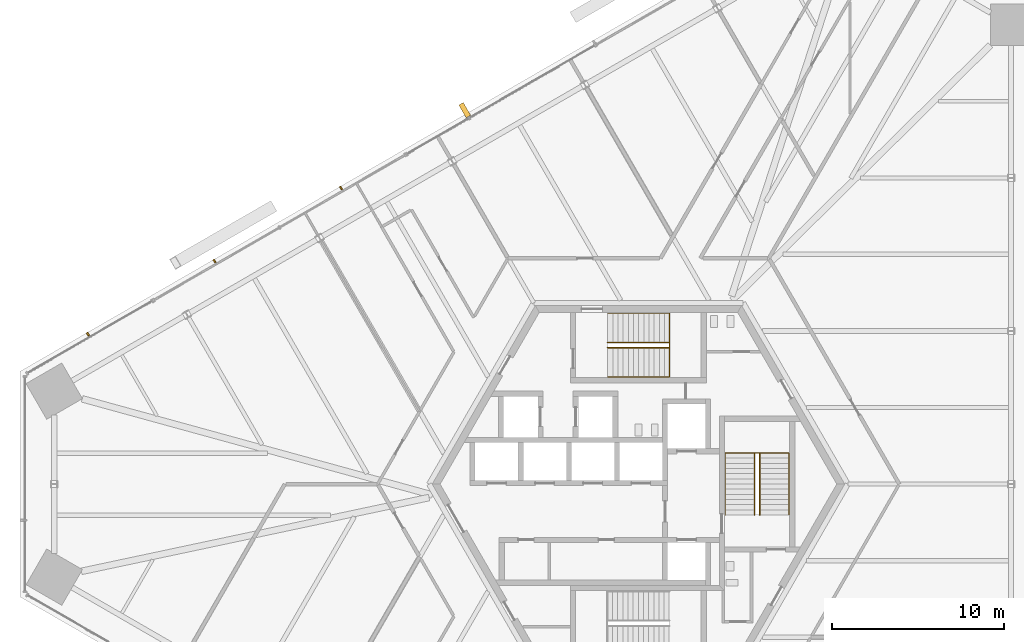
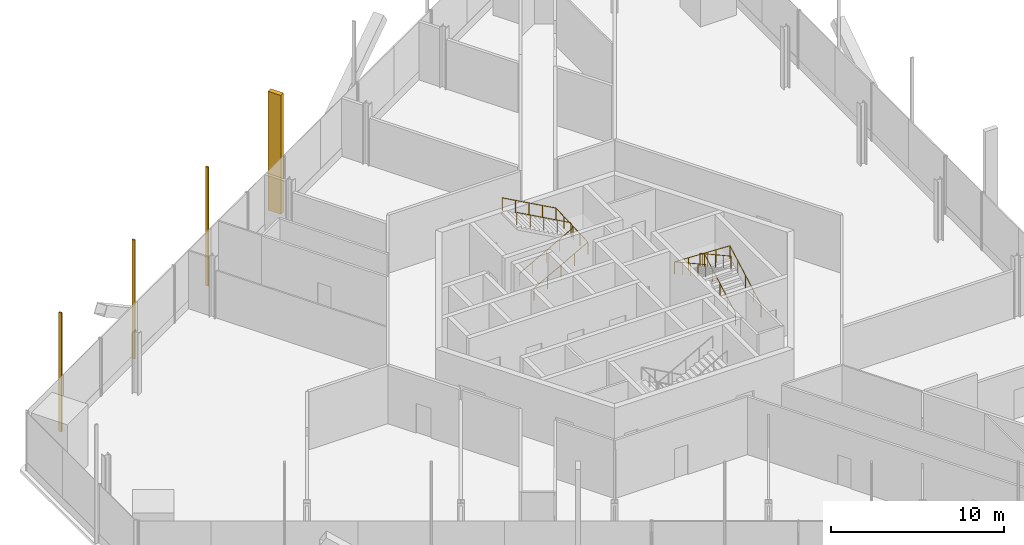
# One storey, part 17 of 19: 4 railings, 4 shading devices.
"""IFC4 building model written with IfcOpenShell, lengths in metres."""

from ifc_helpers import new_model, si_unit, direction, frame, origin, origin_2d, place, context, subcontext, project, spatial, rectangle, circle, extrude, source, transform, mapped, material, type_object, element, save


model = new_model("IFC4")

# Units and contexts
model_context = context("Model", 3, precision=1e-05, world=origin(), true_north=direction((0.0, 1.0)))
body_context = subcontext(model_context, "Body", "Model", "MODEL_VIEW")
ifc_project = project(units=[si_unit("LENGTHUNIT", "METRE"), si_unit("AREAUNIT", "SQUARE_METRE"), si_unit("VOLUMEUNIT", "CUBIC_METRE"), si_unit("PLANEANGLEUNIT", "RADIAN"), si_unit("MASSUNIT", "GRAM", prefix="KILO")], contexts=[model_context])

# Site, building, storey
site_placement = place(None, origin())
site = spatial("IfcSite", under=ifc_project, at=site_placement, CompositionType="ELEMENT")
building_placement = place(site_placement, origin())
building = spatial("IfcBuilding", under=site, at=building_placement, Name="Triune Harvest Tower", CompositionType="ELEMENT")
storey_placement = place(building_placement, frame((0.0, 0.0, 41.800048828125)))
storey = spatial("IfcBuildingStorey", under=building, at=storey_placement, Name="L09", CompositionType="ELEMENT", Elevation=41.800048828125)

# Railings
ifc_material_1 = material(Name="Stainless steel AISI 316", Category="steel")
railing_type = type_object("IfcRailingType", Name="Stair handrail", PredefinedType="HANDRAIL", material=ifc_material_1)
shared_shape_1 = source(origin(), body_context, "Body", "SweptSolid", [
    extrude(circle(Radius=0.02392578125, at=origin_2d()), frame((0.0, 0.0, 0.8759765625), z_axis=(0.875746539262, 0.0, 0.482771166259), x_axis=(0.0, 1.0, 0.0)), (0.0, 0.0, 1.0), 4.11083984375),
    extrude(circle(Radius=0.02392578125, at=origin_2d()), frame((3.60009765625, 0.0, 2.8603515625), z_axis=(0.0, 0.999000768331, 0.04469300699), x_axis=(-1.0, 0.0, 0.0)), (0.0, 0.0, 1.0), 3.70361328125),
    extrude(circle(Radius=0.02392578125, at=origin_2d()), frame((3.60009765625, 3.699951171875, 3.02587890625), z_axis=(-0.875746539262, 0.0, 0.482771166259), x_axis=(0.0, -1.0, 0.0)), (0.0, 0.0, 1.0), 4.11083984375),
    extrude(circle(Radius=0.02099609375, at=origin_2d()), origin(), (0.0, 0.0, 1.0), 0.851806640625),
    extrude(circle(Radius=0.02099609375, at=origin_2d()), frame((0.89990234375, 0.0, 0.49609375)), (0.0, 0.0, 1.0), 0.851806640625),
    extrude(circle(Radius=0.02099609375, at=origin_2d()), frame((1.800048828125, 0.0, 0.9921875)), (0.0, 0.0, 1.0), 0.851806640625),
    extrude(circle(Radius=0.02099609375, at=origin_2d()), frame((2.7001953125, 0.0, 1.488525390625)), (0.0, 0.0, 1.0), 0.851806640625),
    extrude(circle(Radius=0.02099609375, at=origin_2d()), frame((3.60009765625, 0.0, 1.984619140625)), (0.0, 0.0, 1.0), 0.851806640625),
    extrude(circle(Radius=0.02099609375, at=origin_2d()), frame((3.60009765625, 0.925048828125, 2.02587890625)), (0.0, 0.0, 1.0), 0.851806640625),
    extrude(circle(Radius=0.02099609375, at=origin_2d()), frame((3.60009765625, 1.85009765625, 2.0673828125)), (0.0, 0.0, 1.0), 0.851806640625),
    extrude(circle(Radius=0.02099609375, at=origin_2d()), frame((3.60009765625, 2.77490234375, 2.10888671875)), (0.0, 0.0, 1.0), 0.851806640625),
    extrude(circle(Radius=0.02099609375, at=origin_2d()), frame((3.60009765625, 3.699951171875, 2.150146484375)), (0.0, 0.0, 1.0), 0.851806640625),
    extrude(circle(Radius=0.02099609375, at=origin_2d()), frame((2.7001953125, 3.699951171875, 2.646240234375)), (0.0, 0.0, 1.0), 0.851806640625),
    extrude(circle(Radius=0.02099609375, at=origin_2d()), frame((1.800048828125, 3.699951171875, 3.142578125)), (0.0, 0.0, 1.0), 0.851806640625),
    extrude(circle(Radius=0.02099609375, at=origin_2d()), frame((0.89990234375, 3.699951171875, 3.638671875)), (0.0, 0.0, 1.0), 0.851806640625),
    extrude(circle(Radius=0.02099609375, at=origin_2d()), frame((0.0, 3.699951171875, 4.134765625)), (0.0, 0.0, 1.0), 0.851806640625),
])
railing_1_placement = place(storey_placement, frame((-1.7900390625, 6.239990234375, 0.165283203125)))
element("IfcRailing", 1, at=railing_1_placement, inside=storey, type_object=railing_type, Name="Exit stair north wall handrail", PredefinedType="HANDRAIL", context=body_context, shape_type="MappedRepresentation", body=[
    mapped(shared_shape_1, transform((0.0, 0.0, 0.0), scale=1.0)),
])
shared_shape_2 = source(origin(), body_context, "Body", "SweptSolid", [
    extrude(circle(Radius=0.02392578125, at=origin_2d()), frame((0.0, 0.0, 0.8759765625), z_axis=(0.875746539262, 0.0, 0.482771166259), x_axis=(0.0, 1.0, 0.0)), (0.0, 0.0, 1.0), 4.11083984375),
    extrude(circle(Radius=0.02392578125, at=origin_2d()), frame((3.60009765625, 0.0, 2.8603515625), z_axis=(0.0, 0.875598465653, 0.483039674298), x_axis=(-1.0, 0.0, 0.0)), (0.0, 0.0, 1.0), 0.3427734375),
    extrude(circle(Radius=0.02392578125, at=origin_2d()), frame((3.60009765625, 0.300048828125, 3.02587890625), z_axis=(-0.875746539262, 0.0, 0.482771166259), x_axis=(0.0, -1.0, 0.0)), (0.0, 0.0, 1.0), 4.11083984375),
    extrude(circle(Radius=0.02099609375, at=origin_2d()), origin(), (0.0, 0.0, 1.0), 0.851806640625),
    extrude(circle(Radius=0.02099609375, at=origin_2d()), frame((0.89990234375, 0.0, 0.49609375)), (0.0, 0.0, 1.0), 0.851806640625),
    extrude(circle(Radius=0.02099609375, at=origin_2d()), frame((1.800048828125, 0.0, 0.9921875)), (0.0, 0.0, 1.0), 0.851806640625),
    extrude(circle(Radius=0.02099609375, at=origin_2d()), frame((2.7001953125, 0.0, 1.488525390625)), (0.0, 0.0, 1.0), 0.851806640625),
    extrude(circle(Radius=0.02099609375, at=origin_2d()), frame((3.60009765625, 0.0, 1.984619140625)), (0.0, 0.0, 1.0), 0.851806640625),
    extrude(circle(Radius=0.02099609375, at=origin_2d()), frame((3.60009765625, 0.300048828125, 2.150146484375)), (0.0, 0.0, 1.0), 0.851806640625),
    extrude(circle(Radius=0.02099609375, at=origin_2d()), frame((2.7001953125, 0.300048828125, 2.646240234375)), (0.0, 0.0, 1.0), 0.851806640625),
    extrude(circle(Radius=0.02099609375, at=origin_2d()), frame((1.800048828125, 0.300048828125, 3.142578125)), (0.0, 0.0, 1.0), 0.851806640625),
    extrude(circle(Radius=0.02099609375, at=origin_2d()), frame((0.89990234375, 0.300048828125, 3.638671875)), (0.0, 0.0, 1.0), 0.851806640625),
    extrude(circle(Radius=0.02099609375, at=origin_2d()), frame((0.0, 0.300048828125, 4.134765625)), (0.0, 0.0, 1.0), 0.851806640625),
])
railing_2_placement = place(storey_placement, frame((-1.7900390625, 7.93994140625, 0.165283203125)))
element("IfcRailing", 2, at=railing_2_placement, inside=storey, type_object=railing_type, Name="Exit stair north centre handrail", PredefinedType="HANDRAIL", context=body_context, shape_type="MappedRepresentation", body=[
    mapped(shared_shape_2, transform((0.0, 0.0, 0.0), scale=1.0)),
])
shared_shape_3 = source(origin(), body_context, "Body", "SweptSolid", [
    extrude(circle(Radius=0.02392578125, at=origin_2d()), frame((0.0, 0.0, 0.8759765625), z_axis=(0.0, 0.875746539262, 0.482771166259), x_axis=(-1.0, 0.0, 0.0)), (0.0, 0.0, 1.0), 4.11083984375),
    extrude(circle(Radius=0.02392578125, at=origin_2d()), frame((0.0, 3.60009765625, 2.8603515625), z_axis=(-0.999000768331, 0.0, 0.04469300699), x_axis=(0.0, -1.0, 0.0)), (0.0, 0.0, 1.0), 3.70361328125),
    extrude(circle(Radius=0.02392578125, at=origin_2d()), frame((-3.699951171875, 3.60009765625, 3.02587890625), z_axis=(0.0, -0.875746539262, 0.482771166259), x_axis=(1.0, 0.0, 0.0)), (0.0, 0.0, 1.0), 4.11083984375),
    extrude(circle(Radius=0.02099609375, at=origin_2d()), origin(), (0.0, 0.0, 1.0), 0.851806640625),
    extrude(circle(Radius=0.02099609375, at=origin_2d()), frame((0.0, 0.89990234375, 0.49609375)), (0.0, 0.0, 1.0), 0.851806640625),
    extrude(circle(Radius=0.02099609375, at=origin_2d()), frame((0.0, 1.800048828125, 0.9921875)), (0.0, 0.0, 1.0), 0.851806640625),
    extrude(circle(Radius=0.02099609375, at=origin_2d()), frame((0.0, 2.7001953125, 1.488525390625)), (0.0, 0.0, 1.0), 0.851806640625),
    extrude(circle(Radius=0.02099609375, at=origin_2d()), frame((0.0, 3.60009765625, 1.984619140625)), (0.0, 0.0, 1.0), 0.851806640625),
    extrude(circle(Radius=0.02099609375, at=origin_2d()), frame((-0.925048828125, 3.60009765625, 2.02587890625)), (0.0, 0.0, 1.0), 0.851806640625),
    extrude(circle(Radius=0.02099609375, at=origin_2d()), frame((-1.85009765625, 3.60009765625, 2.0673828125)), (0.0, 0.0, 1.0), 0.851806640625),
    extrude(circle(Radius=0.02099609375, at=origin_2d()), frame((-2.77490234375, 3.60009765625, 2.10888671875)), (0.0, 0.0, 1.0), 0.851806640625),
    extrude(circle(Radius=0.02099609375, at=origin_2d()), frame((-3.699951171875, 3.60009765625, 2.150146484375)), (0.0, 0.0, 1.0), 0.851806640625),
    extrude(circle(Radius=0.02099609375, at=origin_2d()), frame((-3.699951171875, 2.7001953125, 2.646240234375)), (0.0, 0.0, 1.0), 0.851806640625),
    extrude(circle(Radius=0.02099609375, at=origin_2d()), frame((-3.699951171875, 1.800048828125, 3.142578125)), (0.0, 0.0, 1.0), 0.851806640625),
    extrude(circle(Radius=0.02099609375, at=origin_2d()), frame((-3.699951171875, 0.89990234375, 3.638671875)), (0.0, 0.0, 1.0), 0.851806640625),
    extrude(circle(Radius=0.02099609375, at=origin_2d()), frame((-3.699951171875, 0.0, 4.134765625)), (0.0, 0.0, 1.0), 0.851806640625),
])
railing_3_placement = place(storey_placement, frame((8.75, -1.7900390625, 0.165283203125)))
element("IfcRailing", 3, at=railing_3_placement, inside=storey, type_object=railing_type, Name="Exit stair east wall handrail", PredefinedType="HANDRAIL", context=body_context, shape_type="MappedRepresentation", body=[
    mapped(shared_shape_3, transform((0.0, 0.0, 0.0), scale=1.0)),
])
shared_shape_4 = source(origin(), body_context, "Body", "SweptSolid", [
    extrude(circle(Radius=0.02392578125, at=origin_2d()), frame((0.0, 0.0, 0.8759765625), z_axis=(0.0, 0.875746539262, 0.482771166259), x_axis=(-1.0, 0.0, 0.0)), (0.0, 0.0, 1.0), 4.11083984375),
    extrude(circle(Radius=0.02392578125, at=origin_2d()), frame((0.0, 3.60009765625, 2.8603515625), z_axis=(-0.875598465653, 0.0, 0.483039674298), x_axis=(0.0, -1.0, 0.0)), (0.0, 0.0, 1.0), 0.3427734375),
    extrude(circle(Radius=0.02392578125, at=origin_2d()), frame((-0.300048828125, 3.60009765625, 3.02587890625), z_axis=(0.0, -0.875746539262, 0.482771166259), x_axis=(1.0, 0.0, 0.0)), (0.0, 0.0, 1.0), 4.11083984375),
    extrude(circle(Radius=0.02099609375, at=origin_2d()), origin(), (0.0, 0.0, 1.0), 0.851806640625),
    extrude(circle(Radius=0.02099609375, at=origin_2d()), frame((0.0, 0.89990234375, 0.49609375)), (0.0, 0.0, 1.0), 0.851806640625),
    extrude(circle(Radius=0.02099609375, at=origin_2d()), frame((0.0, 1.800048828125, 0.9921875)), (0.0, 0.0, 1.0), 0.851806640625),
    extrude(circle(Radius=0.02099609375, at=origin_2d()), frame((0.0, 2.7001953125, 1.488525390625)), (0.0, 0.0, 1.0), 0.851806640625),
    extrude(circle(Radius=0.02099609375, at=origin_2d()), frame((0.0, 3.60009765625, 1.984619140625)), (0.0, 0.0, 1.0), 0.851806640625),
    extrude(circle(Radius=0.02099609375, at=origin_2d()), frame((-0.300048828125, 3.60009765625, 2.150146484375)), (0.0, 0.0, 1.0), 0.851806640625),
    extrude(circle(Radius=0.02099609375, at=origin_2d()), frame((-0.300048828125, 2.7001953125, 2.646240234375)), (0.0, 0.0, 1.0), 0.851806640625),
    extrude(circle(Radius=0.02099609375, at=origin_2d()), frame((-0.300048828125, 1.800048828125, 3.142578125)), (0.0, 0.0, 1.0), 0.851806640625),
    extrude(circle(Radius=0.02099609375, at=origin_2d()), frame((-0.300048828125, 0.89990234375, 3.638671875)), (0.0, 0.0, 1.0), 0.851806640625),
    extrude(circle(Radius=0.02099609375, at=origin_2d()), frame((-0.300048828125, 0.0, 4.134765625)), (0.0, 0.0, 1.0), 0.851806640625),
])
railing_4_placement = place(storey_placement, frame((7.050048828125, -1.7900390625, 0.165283203125)))
element("IfcRailing", 4, at=railing_4_placement, inside=storey, type_object=railing_type, Name="Exit stair east centre handrail", PredefinedType="HANDRAIL", context=body_context, shape_type="MappedRepresentation", body=[
    mapped(shared_shape_4, transform((0.0, 0.0, 0.0), scale=1.0)),
])

# Shading devices
ifc_material_2 = material(Name="Aluminium bronze anodised", Category="aluminium")
shared_shape_5 = source(origin(), body_context, "Body", "SweptSolid", [
    extrude(rectangle(XDim=0.10009765625, YDim=0.199951171875, at=origin_2d()), origin(), (0.0, 0.0, 1.0), 8.39990234375),
])
for number, where, z_axis, x_axis, name in (
    (5, (-17.304931640625, 17.226806640625, 0.0), (0.0, 0.0, 1.0), (-0.866025470037, -0.499999885247, 0.0), "FN-1 fin B1-F3.9 L09"),
    (6, (-24.6640625, 12.97802734375, 0.0), (0.0, 0.0, 1.0), (-0.866025470037, -0.499999885247, 0.0), "FN-1 fin B1-F3.11 L09"),
    (7, (-32.02294921875, 8.7294921875, 0.0), (0.0, 0.0, 1.0), (-0.866025470037, -0.499999885247, 0.0), "FN-1 fin B1-F3.13 L09"),
):
    element("IfcShadingDevice", number, at=place(storey_placement, frame(where, z_axis=z_axis, x_axis=x_axis)), inside=storey, material=ifc_material_2, Name=name, ObjectType="FIN", PredefinedType="USERDEFINED", context=body_context, shape_type="MappedRepresentation", body=[
        mapped(shared_shape_5, transform((0.0, 0.0, 0.0), scale=1.0)),
    ])
shared_shape_6 = source(origin(), body_context, "Body", "SweptSolid", [
    extrude(rectangle(XDim=0.300048828125, YDim=0.85009765625, at=origin_2d()), origin(), (0.0, 0.0, 1.0), 8.39990234375),
])
shading_device_placement = place(storey_placement, frame((-10.1083984375, 21.757080078125, 0.0), z_axis=(0.0, 0.0, 1.0), x_axis=(-0.866025470037, -0.499999885247, 0.0)))
element("IfcShadingDevice", 8, at=shading_device_placement, inside=storey, material=ifc_material_2, Name="FN-2 fin B1-F3.7 L09", ObjectType="FIN", PredefinedType="USERDEFINED", context=body_context, shape_type="MappedRepresentation", body=[
    mapped(shared_shape_6, transform((0.0, 0.0, 0.0), scale=1.0)),
])

save(model, "model.ifc")
